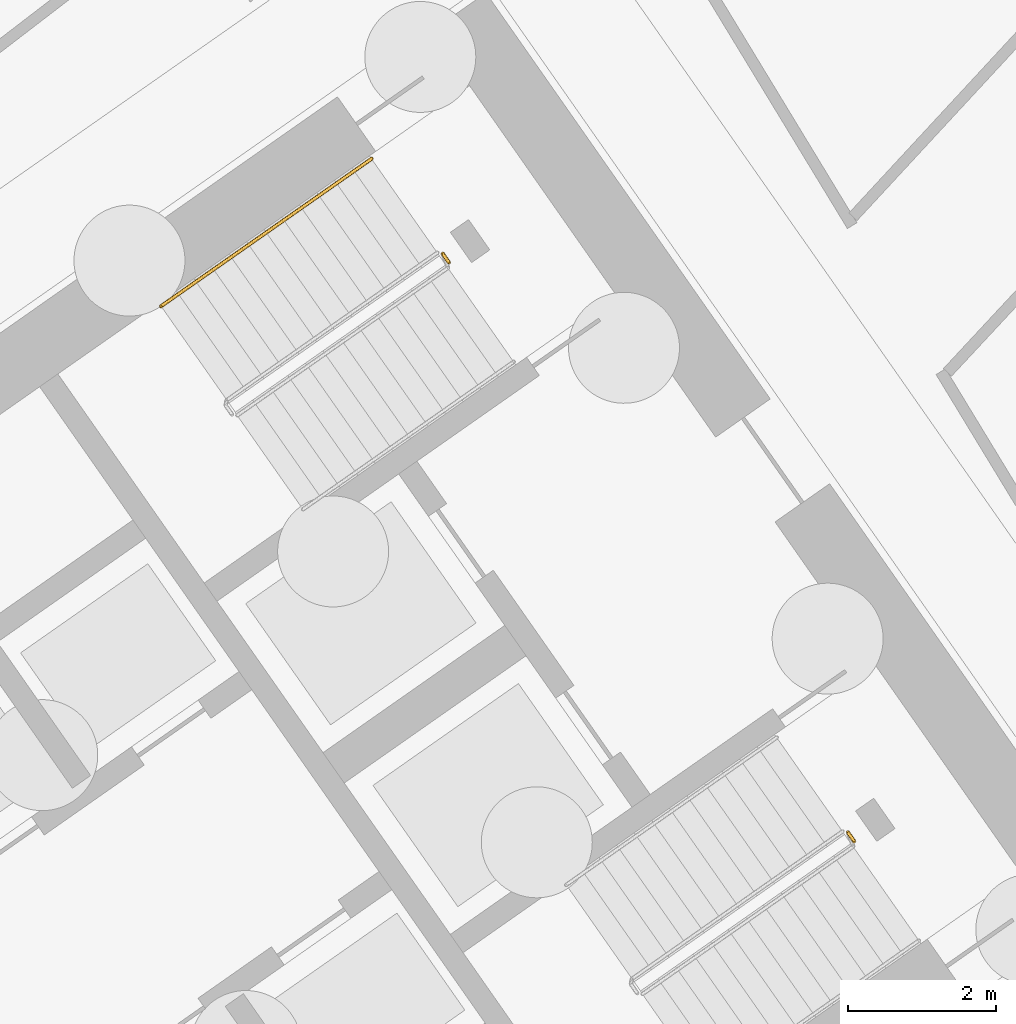
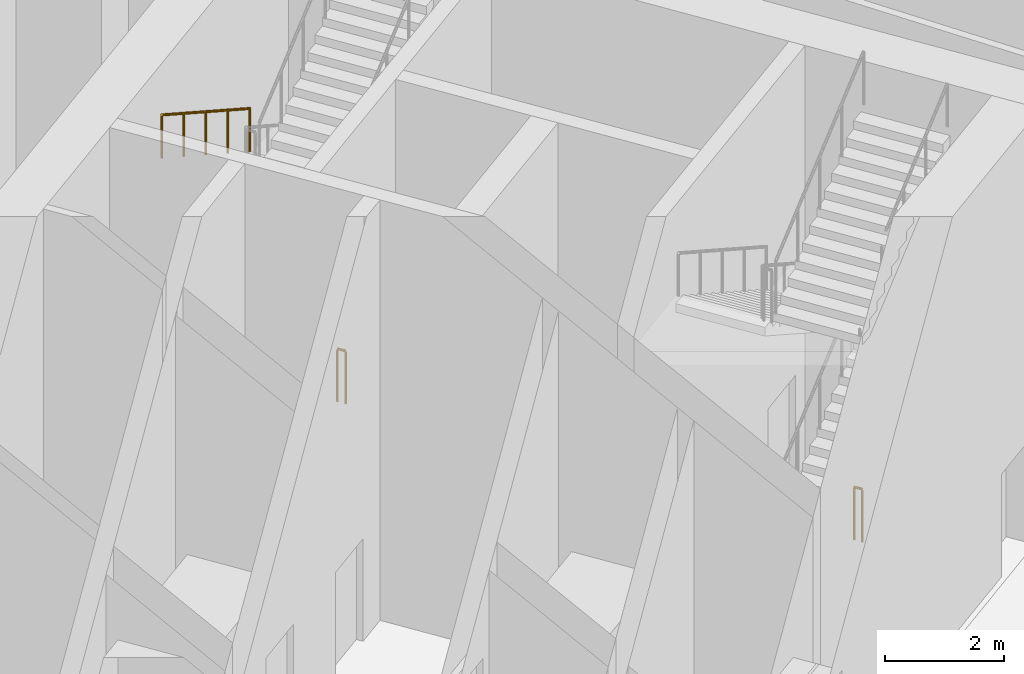
# One storey, part 21 of 23: 3 railings.
"""IFC4 building model written with IfcOpenShell, lengths in metres."""

import ifcopenshell
import ifcopenshell.guid

model = None  # the IFC model being written
_history = None  # IfcOwnerHistory: only IFC2X3 demands one
_inside = {}  # id of a spatial element -> (the spatial element, [elements in it])
_under = {}  # id of a project, library or spatial element -> (it, [spatial elements below it])
_declared = {}  # id of a project -> (the project, [libraries it declares])
_typed = {}  # id of a type object -> (the type object, [elements of that type])
_made_of = {}  # id of a material, layer set ... -> (it, [elements and type objects made of it])


def new_model(schema):
    """Start an empty IFC model of exactly this schema.

    Asked for "IFC4X3", IfcOpenShell would pick the latest addendum, in which some entities
    have other attributes; the version numbers below select the first issue.
    IFC2X3 requires an IfcOwnerHistory on every rooted entity: one is made here for all.
    """
    global model, _history
    if schema == "IFC4X3":
        model = ifcopenshell.file(schema_version=(4, 3, 0, 0))
    else:
        model = ifcopenshell.file(schema=schema)
    _inside.clear()
    _under.clear()
    _declared.clear()
    _typed.clear()
    _made_of.clear()
    _history = None
    if model.schema == "IFC2X3":
        org = make("IfcOrganization", Name="unknown")
        user = make(
            "IfcPersonAndOrganization",
            ThePerson=make("IfcPerson", FamilyName="unknown"),
            TheOrganization=org,
        )
        app = make(
            "IfcApplication",
            ApplicationDeveloper=org,
            Version="unknown",
            ApplicationFullName="unknown",
            ApplicationIdentifier="unknown",
        )
        _history = make(
            "IfcOwnerHistory",
            OwningUser=user,
            OwningApplication=app,
            ChangeAction="ADDED",
            CreationDate=0,
        )
    return model


def make(cls, **values):
    """One entity of the class cls with the attributes given. An attribute that is None is left unset."""
    return model.create_entity(
        cls, **{name: value for name, value in values.items() if value is not None}
    )


def rooted(cls, **values):
    """An entity with a GlobalId (a new one), such as an element, a storey or a relation."""
    return make(cls, GlobalId=ifcopenshell.guid.new(), OwnerHistory=_history, **values)


def si_unit(unit_type, name, prefix=None):
    """IfcSIUnit, for example si_unit("LENGTHUNIT", "METRE", prefix="MILLI")."""
    return make("IfcSIUnit", UnitType=unit_type, Prefix=prefix, Name=name)


def assignment(units):
    """IfcUnitAssignment: the units of a project."""
    return None if units is None else make("IfcUnitAssignment", Units=units)


def point(xyz):
    """IfcCartesianPoint."""
    return None if xyz is None else make("IfcCartesianPoint", Coordinates=xyz)


def direction(xyz):
    """IfcDirection."""
    return None if xyz is None else make("IfcDirection", DirectionRatios=xyz)


def frame(location, z_axis=None, x_axis=None):
    """IfcAxis2Placement3D, a coordinate frame: its origin and axes. An axis left out is left unset."""
    return make(
        "IfcAxis2Placement3D",
        Location=point(location),
        Axis=direction(z_axis),
        RefDirection=direction(x_axis),
    )


def frame_2d(location, x_axis=None):
    """IfcAxis2Placement2D, a coordinate frame in the plane: its origin and x axis."""
    return make(
        "IfcAxis2Placement2D", Location=point(location), RefDirection=direction(x_axis)
    )


def origin():
    """The frame at (0, 0, 0) with its axes left unset."""
    return frame((0.0, 0.0, 0.0))


def origin_2d():
    """The frame at (0, 0) in the plane with its x axis left unset."""
    return frame_2d((0.0, 0.0))


def place(relative_to, where):
    """IfcLocalPlacement: puts the frame where relative to a parent placement (None: the world)."""
    return make(
        "IfcLocalPlacement", PlacementRelTo=relative_to, RelativePlacement=where
    )


def context(
    kind, dimensions, precision=None, world=None, true_north=None, identifier=None
):
    """IfcGeometricRepresentationContext, for example the 3D "Model" context."""
    return make(
        "IfcGeometricRepresentationContext",
        ContextIdentifier=identifier,
        ContextType=kind,
        CoordinateSpaceDimension=dimensions,
        Precision=precision,
        WorldCoordinateSystem=world,
        TrueNorth=true_north,
    )


def subcontext(parent, identifier, kind, view, scale=None):
    """IfcGeometricRepresentationSubContext, for example "Body" below "Model"."""
    return make(
        "IfcGeometricRepresentationSubContext",
        ContextIdentifier=identifier,
        ContextType=kind,
        ParentContext=parent,
        TargetScale=scale,
        TargetView=view,
    )


def project(units=None, contexts=None):
    """IfcProject with its units and contexts."""
    return rooted(
        "IfcProject",
        Name="project",
        RepresentationContexts=contexts,
        UnitsInContext=assignment(units),
    )


def spatial(cls, under=None, at=None, **own):
    """A site, building, storey or space (cls), placed at a placement, below another one or the project."""
    s = rooted(cls, ObjectPlacement=at, **own)
    if under is not None:
        _under.setdefault(under.id(), (under, []))[1].append(s)
    return s


def profile(cls, at=None, kind="AREA", **sizes):
    """A parametric profile (cls). Its sizes go by their IFC names, for example OverallWidth=200.0."""
    return make(cls, ProfileType=kind, Position=at, **sizes)


def circle(**sizes):
    """IfcCircleProfileDef."""
    return profile("IfcCircleProfileDef", **sizes)


def extrude(swept, where, along, depth):
    """IfcExtrudedAreaSolid: the profile swept, set in the frame where, extruded along a direction by depth."""
    return make(
        "IfcExtrudedAreaSolid",
        SweptArea=swept,
        Position=where,
        ExtrudedDirection=direction(along),
        Depth=depth,
    )


def shape(context_of_items, identifier, shape_type, items):
    """IfcShapeRepresentation: the items that make up one representation, for example the "Body"."""
    return make(
        "IfcShapeRepresentation",
        ContextOfItems=context_of_items,
        RepresentationIdentifier=identifier,
        RepresentationType=shape_type,
        Items=items,
    )


def material(Name=None, Category=None):
    """IfcMaterial."""
    return make("IfcMaterial", Name=Name, Category=Category)


def made_of(thing, what):
    """Note that an element or type object is made of a material, layer set ...; save() writes the relation."""
    if what is not None:
        _made_of.setdefault(what.id(), (what, []))[1].append(thing)
    return thing


def type_object(cls, material=None, **own):
    """A type object (cls), such as IfcWallType, which elements share."""
    return made_of(rooted(cls, **own), material)


def element(
    cls,
    number,
    at=None,
    inside=None,
    cuts=None,
    type_object=None,
    material=None,
    context=None,
    identifier="Body",
    shape_type=None,
    held_by="IfcProductDefinitionShape",
    body=None,
    shapes=None,
    **own,
):
    """One element of the class cls, such as IfcWall. Its Tag is "e" and its number.

    at: its placement. inside: the storey or other place that contains it. cuts: it is an
    opening in that element (IfcRelVoidsElement). A single representation is given by context,
    identifier, shape_type and body (its items); several are given by shapes. held_by: the class
    of the entity that holds the representations. save() writes the other relations.
    """
    e = rooted(cls, Tag="e%d" % number, ObjectPlacement=at, **own)
    if body is not None:
        shapes = [shape(context, identifier, shape_type, body)]
    if shapes is not None:
        e.Representation = make(held_by, Representations=shapes)
    if inside is not None:
        _inside.setdefault(inside.id(), (inside, []))[1].append(e)
    if cuts is not None:
        rooted(
            "IfcRelVoidsElement", RelatingBuildingElement=cuts, RelatedOpeningElement=e
        )
    if type_object is not None:
        _typed.setdefault(type_object.id(), (type_object, []))[1].append(e)
    return made_of(e, material)


def aggregate(whole, parts):
    """IfcRelAggregates: a whole, such as a stair, and the parts it consists of."""
    return rooted("IfcRelAggregates", RelatingObject=whole, RelatedObjects=parts)


def save(model, path):
    """Write the relations noted so far, then the file.

    IfcRelAggregates (storeys below a building ...), IfcRelContainedInSpatialStructure (elements
    in a storey), IfcRelDefinesByType, IfcRelAssociatesMaterial and IfcRelDeclares: one each for
    every whole, place, type object, material and project.
    """
    for whole, parts in _under.values():
        aggregate(whole, parts)
    for where, things in _inside.values():
        rooted(
            "IfcRelContainedInSpatialStructure",
            RelatedElements=things,
            RelatingStructure=where,
        )
    for kind, things in _typed.values():
        rooted("IfcRelDefinesByType", RelatedObjects=things, RelatingType=kind)
    for what, things in _made_of.values():
        rooted("IfcRelAssociatesMaterial", RelatedObjects=things, RelatingMaterial=what)
    for by, libraries in _declared.values():
        rooted("IfcRelDeclares", RelatingContext=by, RelatedDefinitions=libraries)
    model.write(path)


model = new_model("IFC4")

# Units and contexts
model_context = context("Model", 3, precision=1e-05, world=origin(), true_north=direction((0.0, 1.0)))
body_context = subcontext(model_context, "Body", "Model", "MODEL_VIEW")
ifc_project = project(units=[si_unit("LENGTHUNIT", "METRE"), si_unit("AREAUNIT", "SQUARE_METRE"), si_unit("VOLUMEUNIT", "CUBIC_METRE"), si_unit("PLANEANGLEUNIT", "RADIAN"), si_unit("MASSUNIT", "GRAM", prefix="KILO")], contexts=[model_context])

# Site, building, storey
site_placement = place(None, origin())
site = spatial("IfcSite", under=ifc_project, at=site_placement, CompositionType="ELEMENT")
building_placement = place(site_placement, origin())
building = spatial("IfcBuilding", under=site, at=building_placement, Name="Qamariyya Broadcast Tower", CompositionType="ELEMENT")
storey_placement = place(building_placement, origin())
storey = spatial("IfcBuildingStorey", under=building, at=storey_placement, Name="L00", CompositionType="ELEMENT", Elevation=0.0)

# Railings
ifc_material_1 = material(Name="Painted steel", Category="steel")
railing_type_1 = type_object("IfcRailingType", Name="Stair guard", PredefinedType="GUARDRAIL", material=ifc_material_1)
railing_1_placement = place(storey_placement, frame((41.072998046875, -48.332275390625, 0.0)))
element("IfcRailing", 1, at=railing_1_placement, inside=storey, type_object=railing_type_1, Name="L00 ST-E2 stair guard 5", PredefinedType="GUARDRAIL", context=body_context, shape_type="SweptSolid", body=[
    extrude(circle(Radius=0.02392578125, at=origin_2d()), frame((0.0, 0.0, 1.076171875), z_axis=(0.572588637393, -0.819842821722, 0.0), x_axis=(0.819842821722, 0.572588637393, 0.0)), (0.0, 0.0, 1.0), 0.150146484375),
    extrude(circle(Radius=0.02099609375, at=origin_2d()), origin(), (0.0, 0.0, 1.0), 1.052001953125),
    extrude(circle(Radius=0.02099609375, at=origin_2d()), frame((0.0859375, -0.123046875, 0.0)), (0.0, 0.0, 1.0), 1.052001953125),
])
railing_2_placement = place(storey_placement, frame((46.550537109375, -56.1552734375, 0.0)))
element("IfcRailing", 2, at=railing_2_placement, inside=storey, type_object=railing_type_1, Name="L00 ST-E1 stair guard 5", PredefinedType="GUARDRAIL", context=body_context, shape_type="SweptSolid", body=[
    extrude(circle(Radius=0.02392578125, at=origin_2d()), frame((0.0, 0.0, 1.076171875), z_axis=(0.574444878118, -0.818543268254, 0.0), x_axis=(0.818543268254, 0.574444878118, 0.0)), (0.0, 0.0, 1.0), 0.150146484375),
    extrude(circle(Radius=0.02099609375, at=origin_2d()), origin(), (0.0, 0.0, 1.0), 1.052001953125),
    extrude(circle(Radius=0.02099609375, at=origin_2d()), frame((0.086181640625, -0.122802734375, 0.0)), (0.0, 0.0, 1.0), 1.052001953125),
])
ifc_material_2 = material(Name="Stainless steel", Category="steel")
railing_type_2 = type_object("IfcRailingType", Name="Stair handrail", PredefinedType="HANDRAIL", material=ifc_material_2)
railing_3_placement = place(storey_placement, frame((40.1142578125, -47.05029296875, 4.673095703125)))
element("IfcRailing", 3, at=railing_3_placement, inside=storey, type_object=railing_type_2, Name="L00 ST-E2 stair handrail 3", PredefinedType="HANDRAIL", context=body_context, shape_type="SweptSolid", body=[
    extrude(circle(Radius=0.02392578125, at=origin_2d()), frame((0.0, 0.0, 0.8759765625), z_axis=(-0.703392637411, -0.492543525477, 0.512483827206), x_axis=(0.573594173421, -0.819139624372, 0.0)), (0.0, 0.0, 1.0), 4.052734375),
    extrude(circle(Radius=0.02099609375, at=origin_2d()), origin(), (0.0, 0.0, 1.0), 0.851806640625),
    extrude(circle(Radius=0.02099609375, at=origin_2d()), frame((-0.712646484375, -0.4990234375, 0.519287109375)), (0.0, 0.0, 1.0), 0.851806640625),
    extrude(circle(Radius=0.02099609375, at=origin_2d()), frame((-1.42529296875, -0.998046875, 1.03857421875)), (0.0, 0.0, 1.0), 0.851806640625),
    extrude(circle(Radius=0.02099609375, at=origin_2d()), frame((-2.137939453125, -1.4970703125, 1.5576171875)), (0.0, 0.0, 1.0), 0.851806640625),
    extrude(circle(Radius=0.02099609375, at=origin_2d()), frame((-2.8505859375, -1.99609375, 2.076904296875)), (0.0, 0.0, 1.0), 0.851806640625),
])

save(model, "model.ifc")
